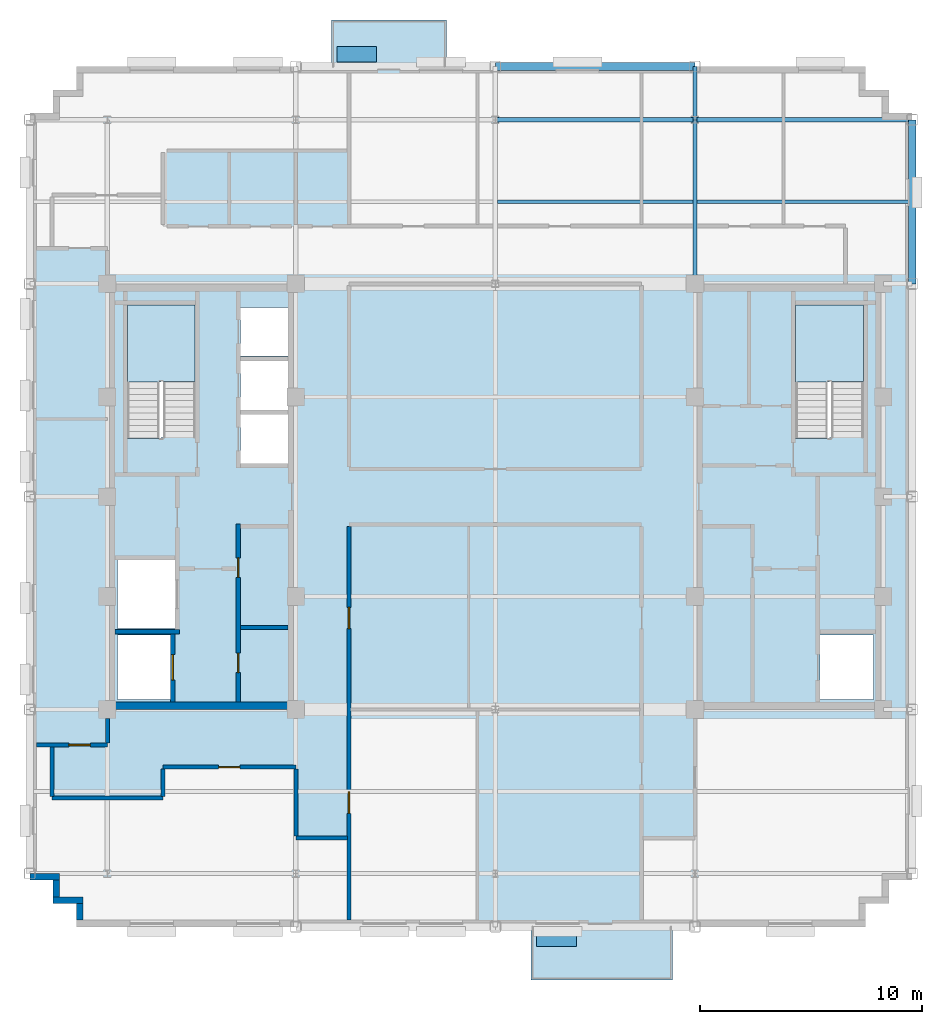
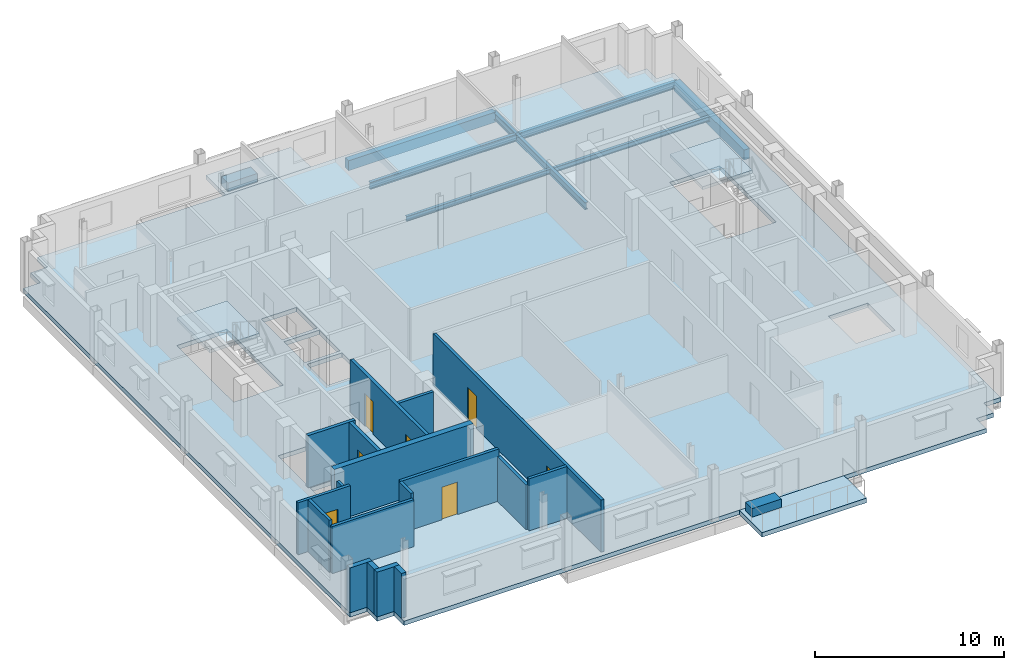
# One storey, part 5 of 13: 18 walls, 8 beams, 7 doors, 5 slabs, 2 plates, 7 openings, 2 elements without a shape of their own.
"""IFC4 building model written with IfcOpenShell, lengths in metres."""

from ifc_helpers import new_model, si_unit, direction, frame, frame_2d, origin, origin_2d, place, context, subcontext, project, spatial, polyline, rectangle, i_section, outline, extrude, source, transform, mapped, material, layer, layer_set, material_profile, profile_set, type_object, type_shapes, element, fill, aggregate, save


model = new_model("IFC4")

# Units and contexts
model_context = context("Model", 3, precision=1e-05, world=origin(), true_north=direction((0.0, 1.0)))
body_context = subcontext(model_context, "Body", "Model", "MODEL_VIEW")
ifc_project = project(units=[si_unit("LENGTHUNIT", "METRE"), si_unit("AREAUNIT", "SQUARE_METRE"), si_unit("VOLUMEUNIT", "CUBIC_METRE"), si_unit("PLANEANGLEUNIT", "RADIAN"), si_unit("MASSUNIT", "GRAM", prefix="KILO")], contexts=[model_context])

# Site, building, storey
site_placement = place(None, origin())
site = spatial("IfcSite", under=ifc_project, at=site_placement, CompositionType="ELEMENT")
building_placement = place(site_placement, origin())
building = spatial("IfcBuilding", under=site, at=building_placement, Name="Nuvemarco Arch Tower", CompositionType="ELEMENT")
storey_placement = place(building_placement, frame((0.0, 0.0, 261.60009765625)))
storey = spatial("IfcBuildingStorey", under=building, at=storey_placement, Name="L69", CompositionType="ELEMENT", Elevation=261.60009765625)

# Beams
ifc_material_1 = material(Name="Steel S355", Category="steel")
ifc_material_profile_1 = material_profile(ifc_material_1, i_section(OverallWidth=0.19189453125, OverallDepth=0.462890625, WebThickness=0.010498046875, FlangeThickness=0.017578125, FilletRadius=0.014892578125, at=origin_2d()), Name="W460x89")
ifc_profile_set_1 = profile_set([ifc_material_profile_1], Name="Steel S355")
beam_type_1 = type_object("IfcBeamType", Name="BM-GIRD-460", PredefinedType="BEAM", material=ifc_profile_set_1)
beam_1_placement = place(storey_placement, frame((9.0, 9.60009765625, -0.51171875), z_axis=(0.0, 1.0, 0.0), x_axis=(-1.0, 0.0, 0.0)))
element("IfcBeam", 1, at=beam_1_placement, inside=storey, type_object=beam_type_1, Name="L69 structural beam BGNS_L69_0_+9.0_+9.6", PredefinedType="BEAM", context=body_context, shape_type="SweptSolid", body=[
    extrude(i_section(OverallWidth=0.19189453125, OverallDepth=0.462890625, WebThickness=0.010498046875, FlangeThickness=0.017578125, FilletRadius=0.014892578125, at=origin_2d()), origin(), (0.0, 0.0, 1.0), 7.39990234375),
])
beam_2_placement = place(storey_placement, frame((9.0, 17.0, -0.51171875), z_axis=(0.0, 1.0, 0.0), x_axis=(-1.0, 0.0, 0.0)))
element("IfcBeam", 2, at=beam_2_placement, inside=storey, type_object=beam_type_1, Name="L69 structural beam BGNS_L69_0_+9.0_+17.0", PredefinedType="BEAM", context=body_context, shape_type="SweptSolid", body=[
    extrude(i_section(OverallWidth=0.19189453125, OverallDepth=0.462890625, WebThickness=0.010498046875, FlangeThickness=0.017578125, FilletRadius=0.014892578125, at=origin_2d()), origin(), (0.0, 0.0, 1.0), 2.39990234375),
])
beam_3_placement = place(storey_placement, frame((0.0, 17.0, -0.51171875), z_axis=(1.0, 0.0, 0.0), x_axis=(0.0, 1.0, 0.0)))
element("IfcBeam", 3, at=beam_3_placement, inside=storey, type_object=beam_type_1, Name="L69 structural beam BGEW_L69_0_+17.0_+0.0", PredefinedType="BEAM", context=body_context, shape_type="SweptSolid", body=[
    extrude(i_section(OverallWidth=0.19189453125, OverallDepth=0.462890625, WebThickness=0.010498046875, FlangeThickness=0.017578125, FilletRadius=0.014892578125, at=origin_2d()), origin(), (0.0, 0.0, 1.0), 9.0),
])
beam_4_placement = place(storey_placement, frame((9.0, 17.0, -0.51171875), z_axis=(1.0, 0.0, 0.0), x_axis=(0.0, 1.0, 0.0)))
element("IfcBeam", 4, at=beam_4_placement, inside=storey, type_object=beam_type_1, Name="L69 structural beam BGEW_L69_0_+17.0_+9.0", PredefinedType="BEAM", context=body_context, shape_type="SweptSolid", body=[
    extrude(i_section(OverallWidth=0.19189453125, OverallDepth=0.462890625, WebThickness=0.010498046875, FlangeThickness=0.017578125, FilletRadius=0.014892578125, at=origin_2d()), origin(), (0.0, 0.0, 1.0), 9.800048828125),
])
ifc_material_profile_2 = material_profile(ifc_material_1, i_section(OverallWidth=0.1669921875, OverallDepth=0.31689453125, WebThickness=0.007568359375, FlangeThickness=0.01318359375, FilletRadius=0.010009765625, at=origin_2d()), Name="W310x52")
ifc_profile_set_2 = profile_set([ifc_material_profile_2], Name="Steel S355")
beam_type_2 = type_object("IfcBeamType", Name="BM-JOIST-310", PredefinedType="JOIST", material=ifc_profile_set_2)
beam_5_placement = place(storey_placement, frame((0.095947265625, 13.300048828125, -0.4384765625), z_axis=(1.0, 0.0, 0.0), x_axis=(0.0, 1.0, 0.0)))
element("IfcBeam", 5, at=beam_5_placement, inside=storey, type_object=beam_type_2, Name="L69 structural beam BJ_L69_0_+13.3_+0.0", PredefinedType="JOIST", context=body_context, shape_type="SweptSolid", body=[
    extrude(i_section(OverallWidth=0.1669921875, OverallDepth=0.31689453125, WebThickness=0.007568359375, FlangeThickness=0.01318359375, FilletRadius=0.010009765625, at=origin_2d()), origin(), (0.0, 0.0, 1.0), 8.80810546875),
])
beam_6_placement = place(storey_placement, frame((9.095947265625, 13.300048828125, -0.4384765625), z_axis=(1.0, 0.0, 0.0), x_axis=(0.0, 1.0, 0.0)))
element("IfcBeam", 6, at=beam_6_placement, inside=storey, type_object=beam_type_2, Name="L69 structural beam BJ_L69_0_+13.3_+9.0", PredefinedType="JOIST", context=body_context, shape_type="SweptSolid", body=[
    extrude(i_section(OverallWidth=0.1669921875, OverallDepth=0.31689453125, WebThickness=0.007568359375, FlangeThickness=0.01318359375, FilletRadius=0.010009765625, at=origin_2d()), origin(), (0.0, 0.0, 1.0), 9.529052734375),
])
ifc_material_2 = material(Name="Precast concrete C45/55", Category="concrete")
ifc_material_profile_3 = material_profile(ifc_material_2, rectangle(XDim=0.35009765625, YDim=0.64990234375, at=origin_2d()), Name="PC-SP-350x650")
ifc_profile_set_3 = profile_set([ifc_material_profile_3], Name="Precast concrete C45/55")
beam_type_3 = type_object("IfcBeamType", Name="BM-SPAN-RC", PredefinedType="SPANDREL", material=ifc_profile_set_3)
beam_7_placement = place(storey_placement, frame((18.800048828125, 9.60009765625, -0.60498046875), z_axis=(0.0, 1.0, 0.0), x_axis=(-1.0, 0.0, 0.0)))
element("IfcBeam", 7, at=beam_7_placement, inside=storey, type_object=beam_type_3, Name="L69 structural beam BGNS_L69_0_+18.8_+9.6", PredefinedType="SPANDREL", context=body_context, shape_type="SweptSolid", body=[
    extrude(rectangle(XDim=0.35009765625, YDim=0.64990234375, at=origin_2d()), origin(), (0.0, 0.0, 1.0), 7.39990234375),
])
beam_8_placement = place(storey_placement, frame((0.0, 19.39990234375, -0.60498046875), z_axis=(1.0, 0.0, 0.0), x_axis=(0.0, 1.0, 0.0)))
element("IfcBeam", 8, at=beam_8_placement, inside=storey, type_object=beam_type_3, Name="L69 structural beam BGEW_L69_0_+19.4_+0.0", PredefinedType="SPANDREL", context=body_context, shape_type="SweptSolid", body=[
    extrude(rectangle(XDim=0.35009765625, YDim=0.64990234375, at=origin_2d()), origin(), (0.0, 0.0, 1.0), 9.0),
])

# Slab
ifc_material_3 = material(Name="Concrete C50/60", Category="concrete")
ifc_layer_1 = layer(ifc_material_3, 0.280029296875, Name="SL-FLR-280")
ifc_layer_set_1 = layer_set([ifc_layer_1], Name="Concrete C50/60")
slab_type_1 = type_object("IfcSlabType", Name="SL-FLR-280", PredefinedType="FLOOR", material=ifc_layer_set_1)
slab_1_placement = place(storey_placement, frame((0.0, 0.0, -0.280029296875)))
element("IfcSlab", 9, at=slab_1_placement, inside=storey, type_object=slab_type_1, Name="L69 structural floor slab", PredefinedType="FLOOR", context=body_context, shape_type="SweptSolid", body=[
    extrude(outline(polyline([(-18.89990234375, -19.39990234375), (16.699951171875, -19.39990234375), (16.699951171875, -18.35009765625), (17.75, -18.35009765625), (17.75, -17.300048828125), (18.800048828125, -17.300048828125), (18.800048828125, 17.300048828125), (17.75, 17.300048828125), (17.75, 18.35009765625), (16.699951171875, 18.35009765625), (16.699951171875, 19.39990234375), (-18.89990234375, 19.39990234375), (-18.89990234375, 18.35009765625), (-19.949951171875, 18.35009765625), (-19.949951171875, 17.300048828125), (-21.0, 17.300048828125), (-21.0, -17.300048828125), (-19.949951171875, -17.300048828125), (-19.949951171875, -18.35009765625), (-18.89990234375, -18.35009765625), (-18.89990234375, -19.39990234375)]), holes=[polyline([(-13.5400390625, 2.669921875), (-13.5400390625, 8.64990234375), (-16.60009765625, 8.64990234375), (-16.60009765625, 2.630615234375), (-15.070068359375, 2.630615234375), (-15.070068359375, 2.669921875), (-13.5400390625, 2.669921875)]), polyline([(16.60009765625, 2.669921875), (16.60009765625, 8.64990234375), (13.5400390625, 8.64990234375), (13.5400390625, 2.630615234375), (15.070068359375, 2.630615234375), (15.070068359375, 2.669921875), (16.60009765625, 2.669921875)]), polyline([(-17.050048828125, -9.14990234375), (-14.64990234375, -9.14990234375), (-14.64990234375, -6.25), (-17.050048828125, -6.25), (-17.050048828125, -9.14990234375)]), polyline([(-17.050048828125, -5.949951171875), (-14.449951171875, -5.949951171875), (-14.449951171875, -2.85009765625), (-17.050048828125, -2.85009765625), (-17.050048828125, -5.949951171875)]), polyline([(-11.5, 1.5), (-9.35009765625, 1.5), (-9.35009765625, 3.699951171875), (-11.5, 3.699951171875), (-11.5, 1.5)]), polyline([(-11.5, 3.919921875), (-9.35009765625, 3.919921875), (-9.35009765625, 6.1201171875), (-11.5, 6.1201171875), (-11.5, 3.919921875)]), polyline([(-11.5, 6.340087890625), (-9.35009765625, 6.340087890625), (-9.35009765625, 8.5400390625), (-11.5, 8.5400390625), (-11.5, 6.340087890625)]), polyline([(14.64990234375, -9.14990234375), (17.050048828125, -9.14990234375), (17.050048828125, -6.25), (14.64990234375, -6.25), (14.64990234375, -9.14990234375)])]), origin(), (0.0, 0.0, 1.0), 0.280029296875),
])

# Stair, slab
stair_type = type_object("IfcStairType", Name="ST-CORE-20R", PredefinedType="HALF_TURN_STAIR", material=ifc_material_2)
stair_1_placement = place(storey_placement, origin())
stair_1 = element("IfcStair", 10, at=stair_1_placement, inside=storey, type_object=stair_type, Name="L69 Protected Exit Stair ST-1", PredefinedType="HALF_TURN_STAIR")
ifc_layer_2 = layer(ifc_material_2, 0.199951171875, Name="SL-LANDING-200")
ifc_layer_set_2 = layer_set([ifc_layer_2], Name="Precast concrete C45/55")
slab_type_2 = type_object("IfcSlabType", Name="SL-LANDING-200", PredefinedType="LANDING", material=ifc_layer_set_2)
slab_2_placement = place(storey_placement, frame((0.0, 0.0, 1.625)))
slab_2 = element("IfcSlab", 11, at=slab_2_placement, type_object=slab_type_2, Name="ST-20R landing 1", PredefinedType="LANDING", context=body_context, shape_type="SweptSolid", body=[
    extrude(outline(polyline([(-13.5400390625, 5.189453125), (-13.5400390625, 8.64990234375), (-16.60009765625, 8.64990234375), (-16.60009765625, 5.169921875), (-15.070068359375, 5.169921875), (-15.070068359375, 5.189453125), (-13.5400390625, 5.189453125)])), origin(), (0.0, 0.0, 1.0), 0.199951171875),
])
aggregate(stair_1, [slab_2])

stair_2_placement = place(storey_placement, origin())
stair_2 = element("IfcStair", 12, at=stair_2_placement, inside=storey, type_object=stair_type, Name="L69 Protected Exit Stair ST-2", PredefinedType="HALF_TURN_STAIR")
slab_3_placement = place(storey_placement, frame((0.0, 0.0, 1.625)))
slab_3 = element("IfcSlab", 13, at=slab_3_placement, type_object=slab_type_2, Name="ST-20R landing 1", PredefinedType="LANDING", context=body_context, shape_type="SweptSolid", body=[
    extrude(outline(polyline([(16.60009765625, 5.189453125), (16.60009765625, 8.64990234375), (13.5400390625, 8.64990234375), (13.5400390625, 5.169921875), (15.070068359375, 5.169921875), (15.070068359375, 5.189453125), (16.60009765625, 5.189453125)])), origin(), (0.0, 0.0, 1.0), 0.199951171875),
])
aggregate(stair_2, [slab_3])

# Slabs
ifc_layer_3 = layer(ifc_material_3, 0.264892578125, Name="SL-TB1")
ifc_layer_set_3 = layer_set([ifc_layer_3], Name="Concrete C50/60")
slab_type_3 = type_object("IfcSlabType", Name="SL-TB1", PredefinedType="FLOOR", material=ifc_layer_set_3)
slab_4_placement = place(storey_placement, frame((0.0, 0.0, -0.26513671875)))
element("IfcSlab", 14, at=slab_4_placement, inside=storey, type_object=slab_type_3, Name="L69 outdoor tree balcony slab 2", PredefinedType="FLOOR", context=body_context, shape_type="SweptSolid", body=[
    extrude(outline(polyline([(-7.39990234375, 19.39990234375), (-2.199951171875, 19.39990234375), (-2.199951171875, 21.5), (-7.39990234375, 21.5), (-7.39990234375, 19.39990234375)])), origin(), (0.0, 0.0, 1.0), 0.26513671875),
])
ifc_layer_4 = layer(ifc_material_3, 0.294921875, Name="SL-TR4")
ifc_layer_set_4 = layer_set([ifc_layer_4], Name="Concrete C50/60")
slab_type_4 = type_object("IfcSlabType", Name="SL-TR4", PredefinedType="FLOOR", material=ifc_layer_set_4)
slab_5_placement = place(storey_placement, frame((0.0, 0.0, -0.295166015625)))
element("IfcSlab", 15, at=slab_5_placement, inside=storey, type_object=slab_type_4, Name="L69 outdoor spiral terrace slab 1", PredefinedType="FLOOR", context=body_context, shape_type="SweptSolid", body=[
    extrude(outline(polyline([(1.60009765625, -21.800048828125), (8.0, -21.800048828125), (8.0, -19.39990234375), (1.60009765625, -19.39990234375), (1.60009765625, -21.800048828125)])), origin(), (0.0, 0.0, 1.0), 0.295166015625),
])

# Plates
ifc_layer_5 = layer(ifc_material_2, 0.550048828125, Name="Tree Balcony Structural Planter")
ifc_layer_set_5 = layer_set([ifc_layer_5], Name="Precast concrete C45/55")
plate_type = type_object("IfcPlateType", Name="Tree Balcony Structural Planter", PredefinedType="USERDEFINED", material=ifc_layer_set_5)
shared_shape_1 = source(origin(), body_context, "Body", "SweptSolid", [
    extrude(rectangle(XDim=1.800048828125, YDim=0.699951171875, at=origin_2d()), origin(), (0.0, 0.0, 1.0), 0.550048828125),
])
type_shapes(plate_type, [shared_shape_1])
for number, where, z_axis, x_axis, name in (
    (16, (2.75, -19.949951171875, 0.0), (0.0, 0.0, 1.0), (1.0, 0.0, 0.0), "L69 Tree Balcony Structural Planter"),
    (17, (-6.25, 19.949951171875, 0.0), (0.0, 0.0, 1.0), (1.0, 0.0, 0.0), "L69 Tree Balcony Structural Planter"),
):
    element("IfcPlate", number, at=place(storey_placement, frame(where, z_axis=z_axis, x_axis=x_axis)), inside=storey, type_object=plate_type, Name=name, ObjectType="PLANTER", PredefinedType="USERDEFINED", context=body_context, shape_type="MappedRepresentation", body=[
        mapped(shared_shape_1, transform((0.0, 0.0, 0.0), scale=1.0)),
    ])

# Walls
ifc_layer_6 = layer(ifc_material_2, 0.300048828125, Name="EW-HIGH-300")
ifc_layer_set_6 = layer_set([ifc_layer_6], Name="Precast concrete C45/55")
wall_type_1 = type_object("IfcWallType", Name="EW-HIGH-300", PredefinedType="STANDARD", material=ifc_layer_set_6)
wall_1_placement = place(storey_placement, frame((-21.0, -17.14990234375, 0.0), z_axis=(0.0, 0.0, 1.0), x_axis=(1.0, 0.0, 0.0)))
element("IfcWall", 18, at=wall_1_placement, inside=storey, type_object=wall_type_1, Name="L69 exterior precast facade wall 17", PredefinedType="STANDARD", context=body_context, shape_type="SweptSolid", body=[
    extrude(rectangle(XDim=1.35009765625, YDim=0.300048828125, at=frame_2d((0.675048828125, 0.0))), origin(), (0.0, 0.0, 1.0), 2.891845703125),
])
wall_2_placement = place(storey_placement, frame((-19.800048828125, -18.053955078125, 0.0), z_axis=(0.0, 0.0, 1.0), x_axis=(0.0, 1.0, 0.0)))
element("IfcWall", 19, at=wall_2_placement, inside=storey, type_object=wall_type_1, Name="L69 exterior precast facade wall 18", PredefinedType="STANDARD", context=body_context, shape_type="SweptSolid", body=[
    extrude(rectangle(XDim=0.758056640625, YDim=0.300048828125, at=frame_2d((0.37890625, 0.0))), origin(), (0.0, 0.0, 1.0), 2.891845703125),
])
wall_3_placement = place(storey_placement, frame((-19.949951171875, -18.199951171875, 0.0), z_axis=(0.0, 0.0, 1.0), x_axis=(1.0, 0.0, 0.0)))
element("IfcWall", 20, at=wall_3_placement, inside=storey, type_object=wall_type_1, Name="L69 exterior precast facade wall 19", PredefinedType="STANDARD", context=body_context, shape_type="SweptSolid", body=[
    extrude(rectangle(XDim=1.349853515625, YDim=0.300048828125, at=frame_2d((0.6748046875, 0.0))), origin(), (0.0, 0.0, 1.0), 2.891845703125),
])
wall_4_placement = place(storey_placement, frame((-18.75, -19.10400390625, 0.0), z_axis=(0.0, 0.0, 1.0), x_axis=(0.0, 1.0, 0.0)))
element("IfcWall", 21, at=wall_4_placement, inside=storey, type_object=wall_type_1, Name="L69 exterior precast facade wall 20", PredefinedType="STANDARD", context=body_context, shape_type="SweptSolid", body=[
    extrude(rectangle(XDim=0.758056640625, YDim=0.300048828125, at=frame_2d((0.37890625, 0.0))), origin(), (0.0, 0.0, 1.0), 2.891845703125),
])
ifc_layer_7 = layer(ifc_material_3, 0.35009765625, Name="WL-CORE-350")
ifc_layer_set_7 = layer_set([ifc_layer_7], Name="Concrete C50/60")
wall_type_2 = type_object("IfcWallType", Name="WL-CORE-350", PredefinedType="SHEAR", material=ifc_layer_set_7)
wall_5_placement = place(storey_placement, frame((-17.5, -9.425048828125, 0.0), z_axis=(0.0, 0.0, 1.0), x_axis=(1.0, 0.0, 0.0)))
element("IfcWall", 22, at=wall_5_placement, inside=storey, type_object=wall_type_2, Name="L69 W-core shear wall S", PredefinedType="SHEAR", context=body_context, shape_type="SweptSolid", body=[
    extrude(rectangle(XDim=8.5, YDim=0.35009765625, at=frame_2d((4.25, 0.0))), origin(), (0.0, 0.0, 1.0), 3.369873046875),
])
ifc_material_4 = material(Name="Fire-rated gypsum drywall partition")
ifc_layer_8 = layer(ifc_material_4, 0.179931640625, Name="WL-CORR-180")
ifc_layer_set_8 = layer_set([ifc_layer_8], Name="Fire-rated gypsum drywall partition")
wall_type_3 = type_object("IfcWallType", Name="WL-CORR-180", PredefinedType="PARTITIONING", material=ifc_layer_set_8)
wall_6_placement = place(storey_placement, frame((-11.5048828125, -5.89990234375, 0.0), z_axis=(0.0, 0.0, 1.0), x_axis=(1.0, 0.0, 0.0)))
element("IfcWall", 23, at=wall_6_placement, inside=storey, type_object=wall_type_3, Name="L69 interior wall IW-L69-W-RECK3", PredefinedType="PARTITIONING", context=body_context, shape_type="SweptSolid", body=[
    extrude(rectangle(XDim=2.159912109375, YDim=0.179931640625, at=frame_2d((1.080078125, 0.0))), origin(), (0.0, 0.0, 1.0), 3.35986328125),
])
wall_7_placement = place(storey_placement, frame((-9.0, -15.39990234375, 0.0), z_axis=(0.0, 0.0, 1.0), x_axis=(1.0, 0.0, 0.0)))
element("IfcWall", 24, at=wall_7_placement, inside=storey, type_object=wall_type_3, Name="L69 interior wall IW-L69-001", PredefinedType="PARTITIONING", context=body_context, shape_type="SweptSolid", body=[
    extrude(rectangle(XDim=2.323974609375, YDim=0.179931640625, at=frame_2d((1.162109375, 0.0))), origin(), (0.0, 0.0, 1.0), 3.35986328125),
])
wall_8_placement = place(storey_placement, frame((-20.0, -13.60009765625, 0.0), z_axis=(0.0, 0.0, 1.0), x_axis=(1.0, 0.0, 0.0)))
element("IfcWall", 25, at=wall_8_placement, inside=storey, type_object=wall_type_3, Name="L69 interior wall IW-L69-003", PredefinedType="PARTITIONING", context=body_context, shape_type="SweptSolid", body=[
    extrude(rectangle(XDim=5.0, YDim=0.179931640625, at=frame_2d((2.5, 0.0))), origin(), (0.0, 0.0, 1.0), 3.037841796875),
])

# Wall, opening, door
wall_9_placement = place(storey_placement, frame((-15.0, -12.199951171875, 0.0), z_axis=(0.0, 0.0, 1.0), x_axis=(1.0, 0.0, 0.0)))
wall_9 = element("IfcWall", 26, at=wall_9_placement, inside=storey, type_object=wall_type_3, Name="L69 interior wall IW-L69-004", PredefinedType="PARTITIONING", context=body_context, shape_type="SweptSolid", body=[
    extrude(rectangle(XDim=6.0, YDim=0.179931640625, at=frame_2d((3.0, 0.0))), origin(), (0.0, 0.0, 1.0), 3.35986328125),
])
opening_1_placement = place(wall_9_placement, frame((2.52001953125, 0.0, 0.0)))
opening_1 = element("IfcOpeningElement", 27, at=opening_1_placement, cuts=wall_9, Name="Opening FD-5", PredefinedType="OPENING", context=body_context, shape_type="SweptSolid", body=[
    extrude(rectangle(XDim=0.9599609375, YDim=2.10009765625, at=frame_2d((0.47998046875, 1.050048828125))), frame((0.0, 0.099853515625, 0.0), z_axis=(0.0, -1.0, 0.0), x_axis=(1.0, 0.0, 0.0)), (0.0, 0.0, 1.0), 0.199951171875),
])
ifc_material_5 = material(Name="Timber fire door", Category="wood")
door_type_1 = type_object("IfcDoorType", Name="DR-CORR-FD", OperationType="NOTDEFINED", PredefinedType="DOOR", material=ifc_material_5)
shared_shape_2 = source(origin(), body_context, "Body", "SweptSolid", [
    extrude(rectangle(XDim=0.9599609375, YDim=2.10009765625, at=frame_2d((0.47998046875, 1.050048828125))), frame((0.0, 0.02490234375, 0.0), z_axis=(0.0, -1.0, 0.0), x_axis=(1.0, 0.0, 0.0)), (0.0, 0.0, 1.0), 0.050048828125),
])
type_shapes(door_type_1, [shared_shape_2])
door_1_placement = place(opening_1_placement, origin())
door_1 = element("IfcDoor", 28, at=door_1_placement, inside=storey, type_object=door_type_1, Name="L69 door DR-L69-S_1", OperationType="SINGLE_SWING_RIGHT", OverallHeight=2.10009765625, OverallWidth=0.9599609375, PredefinedType="DOOR", context=body_context, shape_type="MappedRepresentation", body=[
    mapped(shared_shape_2, transform((0.0, 0.0, 0.0), scale=1.0)),
])
fill(opening_1, door_1)

wall_10_placement = place(storey_placement, frame((-20.699951171875, -11.199951171875, 0.0), z_axis=(0.0, 0.0, 1.0), x_axis=(1.0, 0.0, 0.0)))
wall_10 = element("IfcWall", 29, at=wall_10_placement, inside=storey, type_object=wall_type_3, Name="L69 interior wall IW-L69-005", PredefinedType="PARTITIONING", context=body_context, shape_type="SweptSolid", body=[
    extrude(rectangle(XDim=3.199951171875, YDim=0.179931640625, at=frame_2d((1.60009765625, 0.0))), origin(), (0.0, 0.0, 1.0), 3.35986328125),
])
opening_2_placement = place(wall_10_placement, frame((1.469970703125, 0.0, 0.0)))
opening_2 = element("IfcOpeningElement", 30, at=opening_2_placement, cuts=wall_10, Name="Opening FD-5", PredefinedType="OPENING", context=body_context, shape_type="SweptSolid", body=[
    extrude(rectangle(XDim=0.9599609375, YDim=2.10009765625, at=frame_2d((0.47998046875, 1.050048828125))), frame((0.0, 0.099853515625, 0.0), z_axis=(0.0, -1.0, 0.0), x_axis=(1.0, 0.0, 0.0)), (0.0, 0.0, 1.0), 0.199951171875),
])
door_2_placement = place(opening_2_placement, origin())
door_2 = element("IfcDoor", 31, at=door_2_placement, inside=storey, type_object=door_type_1, Name="L69 door DR-L69-W_1", OperationType="SINGLE_SWING_RIGHT", OverallHeight=2.10009765625, OverallWidth=0.9599609375, PredefinedType="DOOR", context=body_context, shape_type="MappedRepresentation", body=[
    mapped(shared_shape_2, transform((0.0, 0.0, 0.0), scale=1.0)),
])
fill(opening_2, door_2)

# Walls
wall_11_placement = place(storey_placement, frame((-20.0, -13.513916015625, 0.0), z_axis=(0.0, 0.0, 1.0), x_axis=(0.0, 1.0, 0.0)))
element("IfcWall", 32, at=wall_11_placement, inside=storey, type_object=wall_type_3, Name="L69 interior wall IW-L69-018", PredefinedType="PARTITIONING", context=body_context, shape_type="SweptSolid", body=[
    extrude(rectangle(XDim=2.22802734375, YDim=0.179931640625, at=frame_2d((1.114013671875, 0.0))), origin(), (0.0, 0.0, 1.0), 3.35986328125),
])
wall_12_placement = place(storey_placement, frame((-17.5, -11.114013671875, 0.0), z_axis=(0.0, 0.0, 1.0), x_axis=(0.0, 1.0, 0.0)))
element("IfcWall", 33, at=wall_12_placement, inside=storey, type_object=wall_type_3, Name="L69 interior wall IW-L69-020", PredefinedType="PARTITIONING", context=body_context, shape_type="SweptSolid", body=[
    extrude(rectangle(XDim=1.117919921875, YDim=0.179931640625, at=frame_2d((0.55908203125, 0.0))), origin(), (0.0, 0.0, 1.0), 2.891845703125),
])
wall_13_placement = place(storey_placement, frame((-15.0, -13.513916015625, 0.0), z_axis=(0.0, 0.0, 1.0), x_axis=(0.0, 1.0, 0.0)))
element("IfcWall", 34, at=wall_13_placement, inside=storey, type_object=wall_type_3, Name="L69 interior wall IW-L69-022", PredefinedType="PARTITIONING", context=body_context, shape_type="SweptSolid", body=[
    extrude(rectangle(XDim=1.22802734375, YDim=0.179931640625, at=frame_2d((0.614013671875, 0.0))), origin(), (0.0, 0.0, 1.0), 3.35986328125),
])
wall_14_placement = place(storey_placement, frame((-9.0, -15.31396484375, 0.0), z_axis=(0.0, 0.0, 1.0), x_axis=(0.0, 1.0, 0.0)))
element("IfcWall", 35, at=wall_14_placement, inside=storey, type_object=wall_type_3, Name="L69 interior wall IW-L69-025", PredefinedType="PARTITIONING", context=body_context, shape_type="SweptSolid", body=[
    extrude(rectangle(XDim=3.028076171875, YDim=0.179931640625, at=frame_2d((1.51416015625, 0.0))), origin(), (0.0, 0.0, 1.0), 2.891845703125),
])

# Wall, openings, doors
wall_15_placement = place(storey_placement, frame((-6.60009765625, -19.10009765625, 0.0), z_axis=(0.0, 0.0, 1.0), x_axis=(0.0, 1.0, 0.0)))
wall_15 = element("IfcWall", 36, at=wall_15_placement, inside=storey, type_object=wall_type_3, Name="L69 interior wall IW-L69-027", PredefinedType="PARTITIONING", context=body_context, shape_type="SweptSolid", body=[
    extrude(rectangle(XDim=17.76416015625, YDim=0.179931640625, at=frame_2d((8.882080078125, 0.0))), origin(), (0.0, 0.0, 1.0), 3.35986328125),
])
opening_3_placement = place(wall_15_placement, frame((13.152099609375, 0.0, 0.0)))
opening_3 = element("IfcOpeningElement", 37, at=opening_3_placement, cuts=wall_15, Name="Opening FD-5", PredefinedType="OPENING", context=body_context, shape_type="SweptSolid", body=[
    extrude(rectangle(XDim=0.9599609375, YDim=2.10009765625, at=frame_2d((0.47998046875, 1.050048828125))), frame((0.0, 0.099853515625, 0.0), z_axis=(0.0, -1.0, 0.0), x_axis=(1.0, 0.0, 0.0)), (0.0, 0.0, 1.0), 0.199951171875),
])
opening_4_placement = place(wall_15_placement, frame((4.820068359375, 0.0, 0.0)))
opening_4 = element("IfcOpeningElement", 38, at=opening_4_placement, cuts=wall_15, Name="Opening FD-5", PredefinedType="OPENING", context=body_context, shape_type="SweptSolid", body=[
    extrude(rectangle(XDim=0.9599609375, YDim=2.10009765625, at=frame_2d((0.47998046875, 1.050048828125))), frame((0.0, 0.099853515625, 0.0), z_axis=(0.0, -1.0, 0.0), x_axis=(1.0, 0.0, 0.0)), (0.0, 0.0, 1.0), 0.199951171875),
])
door_3_placement = place(opening_3_placement, origin())
door_3 = element("IfcDoor", 39, at=door_3_placement, inside=storey, type_object=door_type_1, Name="L69 door DR-L69-C_S1", OperationType="SINGLE_SWING_LEFT", OverallHeight=2.10009765625, OverallWidth=0.9599609375, PredefinedType="DOOR", context=body_context, shape_type="MappedRepresentation", body=[
    mapped(shared_shape_2, transform((0.0, 0.0, 0.0), scale=1.0)),
])
fill(opening_3, door_3)
door_4_placement = place(opening_4_placement, origin())
door_4 = element("IfcDoor", 40, at=door_4_placement, inside=storey, type_object=door_type_1, Name="L69 door DR-L69-S_2", OperationType="SINGLE_SWING_RIGHT", OverallHeight=2.10009765625, OverallWidth=0.9599609375, PredefinedType="DOOR", context=body_context, shape_type="MappedRepresentation", body=[
    mapped(shared_shape_2, transform((0.0, 0.0, 0.0), scale=1.0)),
])
fill(opening_4, door_4)

# Wall, opening, door
ifc_layer_9 = layer(ifc_material_3, 0.199951171875, Name="WL-SHAFT-220")
ifc_layer_set_9 = layer_set([ifc_layer_9], Name="Concrete C50/60")
wall_type_4 = type_object("IfcWallType", Name="WL-SHAFT-220", PredefinedType="SHEAR", material=ifc_layer_set_9)
wall_16_placement = place(storey_placement, frame((-14.550048828125, -9.2548828125, 0.0), z_axis=(0.0, 0.0, 1.0), x_axis=(0.0, 1.0, 0.0)))
wall_16 = element("IfcWall", 41, at=wall_16_placement, inside=storey, type_object=wall_type_4, Name="L69 structural shaft wall SW-L69-W-SHE", PredefinedType="SHEAR", context=body_context, shape_type="SweptSolid", body=[
    extrude(rectangle(XDim=3.059814453125, YDim=0.199951171875, at=frame_2d((1.52978515625, 0.0))), origin(), (0.0, 0.0, 1.0), 3.369873046875),
])
opening_5_placement = place(wall_16_placement, frame((0.97998046875, 0.0, 0.0)))
opening_5 = element("IfcOpeningElement", 42, at=opening_5_placement, cuts=wall_16, Name="Opening LD-2", PredefinedType="OPENING", context=body_context, shape_type="SweptSolid", body=[
    extrude(rectangle(XDim=1.14990234375, YDim=2.14990234375, at=frame_2d((0.574951171875, 1.074951171875))), frame((0.0, 0.10986328125, 0.0), z_axis=(0.0, -1.0, 0.0), x_axis=(1.0, 0.0, 0.0)), (0.0, 0.0, 1.0), 0.219970703125),
])
ifc_material_6 = material(Name="Stainless steel lift door", Category="steel")
door_type_2 = type_object("IfcDoorType", Name="DR-LIFT-FIRE", OperationType="DOUBLE_DOOR_SLIDING", PredefinedType="DOOR", material=ifc_material_6)
shared_shape_3 = source(origin(), body_context, "Body", "SweptSolid", [
    extrude(rectangle(XDim=1.14990234375, YDim=2.14990234375, at=frame_2d((0.574951171875, 1.074951171875))), frame((0.0, 0.02490234375, 0.0), z_axis=(0.0, -1.0, 0.0), x_axis=(1.0, 0.0, 0.0)), (0.0, 0.0, 1.0), 0.050048828125),
])
type_shapes(door_type_2, [shared_shape_3])
door_5_placement = place(opening_5_placement, origin())
door_5 = element("IfcDoor", 43, at=door_5_placement, inside=storey, type_object=door_type_2, Name="L69 Lift landing sliding door FFL-1", OperationType="DOUBLE_DOOR_SLIDING", OverallHeight=2.14990234375, OverallWidth=1.14990234375, PredefinedType="DOOR", context=body_context, shape_type="MappedRepresentation", body=[
    mapped(shared_shape_3, transform((0.0, 0.0, 0.0), scale=1.0)),
])
fill(opening_5, door_5)

# Wall
wall_17_placement = place(storey_placement, frame((-17.155029296875, -6.10009765625, 0.0), z_axis=(0.0, 0.0, 1.0), x_axis=(1.0, 0.0, 0.0)))
element("IfcWall", 44, at=wall_17_placement, inside=storey, type_object=wall_type_4, Name="L69 structural shaft wall SW-L69-W-SH1", PredefinedType="SHEAR", context=body_context, shape_type="SweptSolid", body=[
    extrude(rectangle(XDim=2.905029296875, YDim=0.199951171875, at=frame_2d((1.45263671875, 0.0))), origin(), (0.0, 0.0, 1.0), 3.369873046875),
])

# Wall, openings, doors
wall_18_placement = place(storey_placement, frame((-11.60009765625, -9.2548828125, 0.0), z_axis=(0.0, 0.0, 1.0), x_axis=(0.0, 1.0, 0.0)))
wall_18 = element("IfcWall", 45, at=wall_18_placement, inside=storey, type_object=wall_type_4, Name="L69 structural shaft wall SW-L69-W-PLW", PredefinedType="SHEAR", context=body_context, shape_type="SweptSolid", body=[
    extrude(rectangle(XDim=8.02490234375, YDim=0.199951171875, at=frame_2d((4.012451171875, 0.0))), origin(), (0.0, 0.0, 1.0), 3.369873046875),
])
opening_6_placement = place(wall_18_placement, frame((1.31494140625, 0.0, 0.0)))
opening_6 = element("IfcOpeningElement", 46, at=opening_6_placement, cuts=wall_18, Name="Opening FD-4", PredefinedType="OPENING", context=body_context, shape_type="SweptSolid", body=[
    extrude(rectangle(XDim=0.8798828125, YDim=2.10009765625, at=frame_2d((0.43994140625, 1.050048828125))), frame((0.0, 0.10986328125, 0.0), z_axis=(0.0, -1.0, 0.0), x_axis=(1.0, 0.0, 0.0)), (0.0, 0.0, 1.0), 0.219970703125),
])
opening_7_placement = place(wall_18_placement, frame((5.614990234375, 0.0, 0.0)))
opening_7 = element("IfcOpeningElement", 47, at=opening_7_placement, cuts=wall_18, Name="Opening FD-4", PredefinedType="OPENING", context=body_context, shape_type="SweptSolid", body=[
    extrude(rectangle(XDim=0.8798828125, YDim=2.10009765625, at=frame_2d((0.43994140625, 1.050048828125))), frame((0.0, 0.10986328125, 0.0), z_axis=(0.0, -1.0, 0.0), x_axis=(1.0, 0.0, 0.0)), (0.0, 0.0, 1.0), 0.219970703125),
])
ifc_material_7 = material(Name="Anodised steel fire door", Category="steel")
door_type_3 = type_object("IfcDoorType", Name="DR-RISER-FD", OperationType="NOTDEFINED", PredefinedType="DOOR", material=ifc_material_7)
shared_shape_4 = source(origin(), body_context, "Body", "SweptSolid", [
    extrude(rectangle(XDim=0.8798828125, YDim=2.10009765625, at=frame_2d((0.43994140625, 1.050048828125))), frame((0.0, 0.02490234375, 0.0), z_axis=(0.0, -1.0, 0.0), x_axis=(1.0, 0.0, 0.0)), (0.0, 0.0, 1.0), 0.050048828125),
])
type_shapes(door_type_3, [shared_shape_4])
door_6_placement = place(opening_6_placement, origin())
door_6 = element("IfcDoor", 48, at=door_6_placement, inside=storey, type_object=door_type_3, Name="L69 door FD-L69-WREC1", OperationType="SINGLE_SWING_RIGHT", OverallHeight=2.10009765625, OverallWidth=0.8798828125, PredefinedType="DOOR", context=body_context, shape_type="MappedRepresentation", body=[
    mapped(shared_shape_4, transform((0.0, 0.0, 0.0), scale=1.0)),
])
fill(opening_6, door_6)
door_7_placement = place(opening_7_placement, origin())
door_7 = element("IfcDoor", 49, at=door_7_placement, inside=storey, type_object=door_type_3, Name="L69 door FD-L69-WREC2", OperationType="SINGLE_SWING_LEFT", OverallHeight=2.10009765625, OverallWidth=0.8798828125, PredefinedType="DOOR", context=body_context, shape_type="MappedRepresentation", body=[
    mapped(shared_shape_4, transform((0.0, 0.0, 0.0), scale=1.0)),
])
fill(opening_7, door_7)

save(model, "model.ifc")
